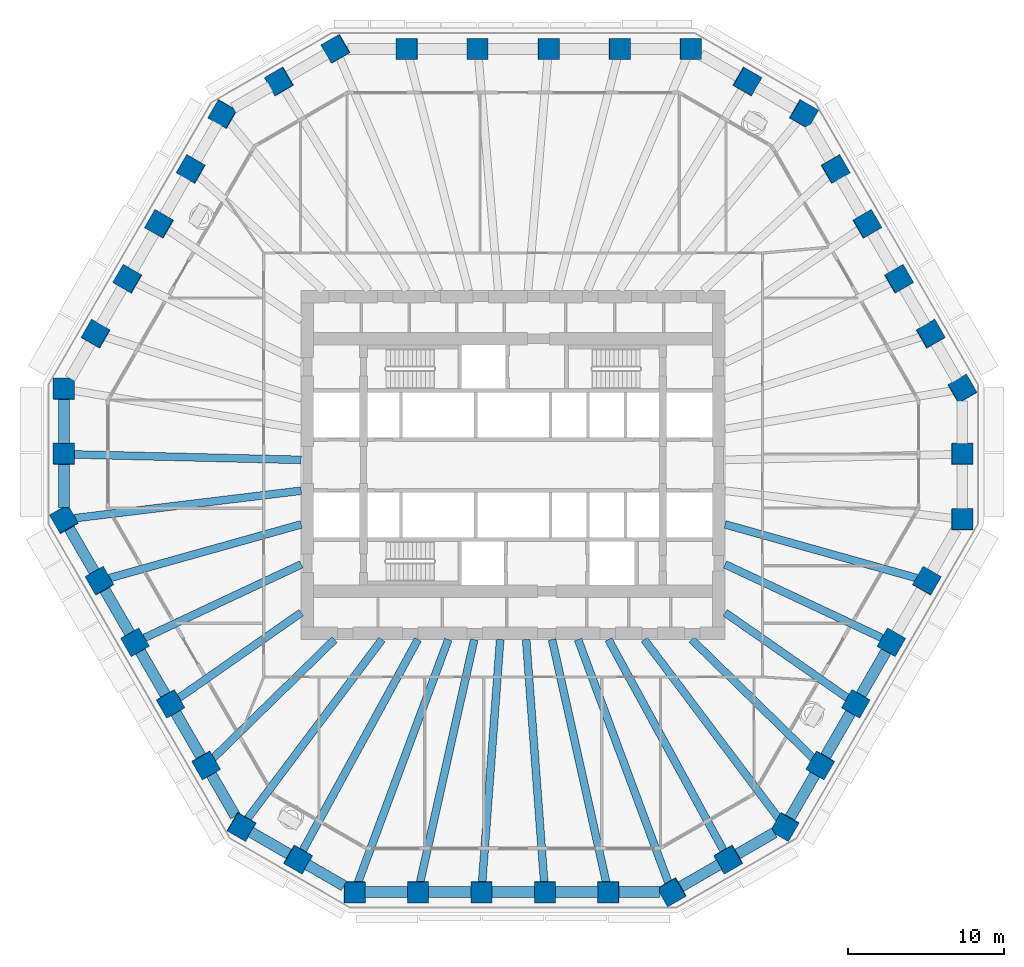
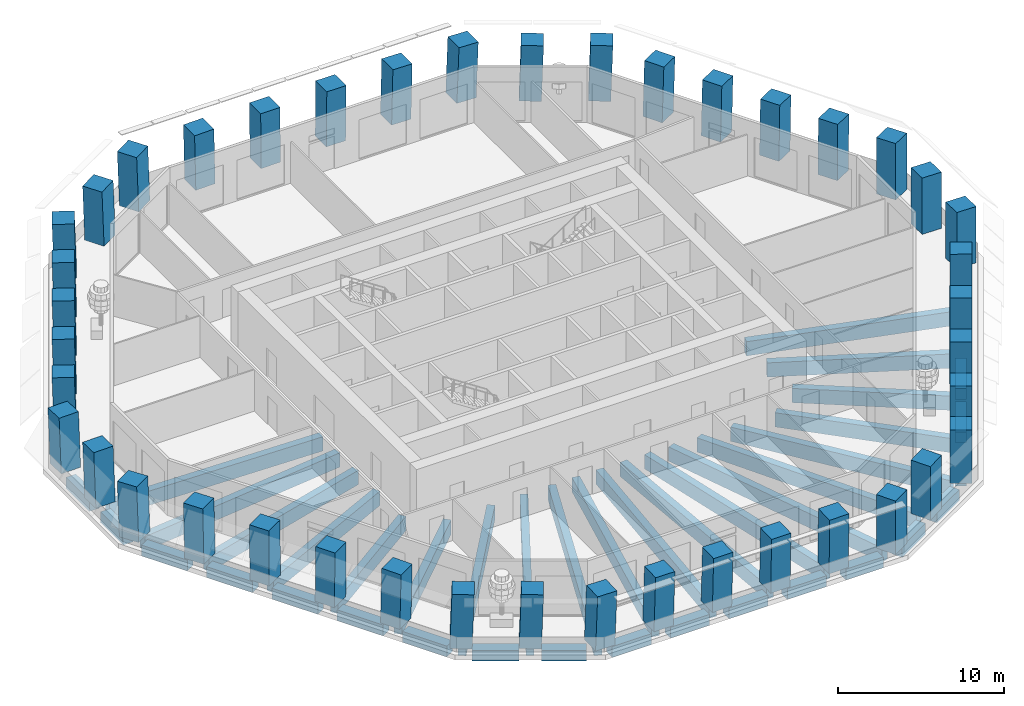
# One storey, part 1 of 13: 42 columns, 39 beams.
"""IFC4 building model written with IfcOpenShell, lengths in metres."""

from ifc_helpers import new_model, si_unit, direction, frame, origin, origin_2d, place, context, subcontext, project, spatial, rectangle, extrude, material, material_profile, profile_set, type_object, element, save


model = new_model("IFC4")

# Units and contexts
model_context = context("Model", 3, precision=1e-05, world=origin(), true_north=direction((0.0, 1.0)))
body_context = subcontext(model_context, "Body", "Model", "MODEL_VIEW")
ifc_project = project(units=[si_unit("LENGTHUNIT", "METRE"), si_unit("AREAUNIT", "SQUARE_METRE"), si_unit("VOLUMEUNIT", "CUBIC_METRE"), si_unit("PLANEANGLEUNIT", "RADIAN"), si_unit("MASSUNIT", "GRAM", prefix="KILO")], contexts=[model_context])

# Site, building, storey
site_placement = place(None, origin())
site = spatial("IfcSite", under=ifc_project, at=site_placement, CompositionType="ELEMENT")
building_placement = place(site_placement, origin())
building = spatial("IfcBuilding", under=site, at=building_placement, Name="Frailejon Research Tower", CompositionType="ELEMENT")
storey_placement = place(building_placement, frame((0.0, 0.0, 102.800048828125)))
storey = spatial("IfcBuildingStorey", under=building, at=storey_placement, Name="L22", CompositionType="ELEMENT", Elevation=102.800048828125)

# Columns
ifc_material_1 = material(Name="Concrete C70/85", Category="concrete")
ifc_material_profile_1 = material_profile(ifc_material_1, rectangle(XDim=1.35009765625, YDim=1.35009765625, at=origin_2d()), Name="Column 1350")
ifc_profile_set_1 = profile_set([ifc_material_profile_1], Name="Concrete C70/85")
column_type = type_object("IfcColumnType", Name="Column 1350", PredefinedType="COLUMN", material=ifc_profile_set_1)
for number, where, z_axis, x_axis, name in (
    (1, (28.81201171875, -3.49609375, 0.0), (0.018132630042, 0.031385715123, 0.999342856388), (-2.2275817e-05, 0.999507197449, -0.031390472292), "Column C01"),
    (2, (28.81201171875, 0.69140625, 0.0), (0.018132630042, 0.031385715123, 0.999342856388), (-2.2275817e-05, 0.999507197449, -0.031390472292), "Column C02"),
    (3, (28.81201171875, 4.87890625, 0.0), (0.018132630042, 0.031385715123, 0.999342856388), (-0.499938597704, 0.865871218169, -0.018122694964), "Column C03"),
):
    element("IfcColumn", number, at=place(storey_placement, frame(where, z_axis=z_axis, x_axis=x_axis)), inside=storey, type_object=column_type, Name=name, PredefinedType="COLUMN", context=body_context, shape_type="SweptSolid", body=[
        extrude(rectangle(XDim=1.35009765625, YDim=1.35009765625, at=origin_2d()), origin(), (0.0, 0.0, 1.0), 4.052734375),
    ])
column_1_placement = place(storey_placement, frame((26.77587890625, 8.405517578125, 0.0), z_axis=(0.021749357258, 0.025183466299, 0.999446225909), x_axis=(-0.501141721156, 0.865296605573, -0.010897692434)))
element("IfcColumn", 4, at=column_1_placement, inside=storey, type_object=column_type, Name="Column C04", PredefinedType="COLUMN", context=body_context, shape_type="SweptSolid", body=[
    extrude(rectangle(XDim=1.35009765625, YDim=1.35009765625, at=origin_2d()), origin(), (0.0, 0.0, 1.0), 4.05224609375),
])
for number, where, z_axis, x_axis, name in (
    (5, (24.73974609375, 11.932373046875, 0.0), (0.025365582388, 0.018858497119, 0.999500347332), (-0.500693070331, 0.865617296359, -0.003625681545), "Column C05"),
    (6, (22.70361328125, 15.458984375, 0.0), (0.028980638596, 0.012592418849, 0.999500652113), (-0.500965869369, 0.865459461575, 0.003621891356), "Column C06"),
):
    element("IfcColumn", number, at=place(storey_placement, frame(where, z_axis=z_axis, x_axis=x_axis)), inside=storey, type_object=column_type, Name=name, PredefinedType="COLUMN", context=body_context, shape_type="SweptSolid", body=[
        extrude(rectangle(XDim=1.35009765625, YDim=1.35009765625, at=origin_2d()), origin(), (0.0, 0.0, 1.0), 4.052001953125),
    ])
column_2_placement = place(storey_placement, frame((20.66748046875, 18.985595703125, 0.0), z_axis=(0.032654174822, 0.006325993277, 0.999446690262), x_axis=(-0.500478631698, 0.865680616164, 0.010872442804)))
element("IfcColumn", 7, at=column_2_placement, inside=storey, type_object=column_type, Name="Column C07", PredefinedType="COLUMN", context=body_context, shape_type="SweptSolid", body=[
    extrude(rectangle(XDim=1.35009765625, YDim=1.35009765625, at=origin_2d()), origin(), (0.0, 0.0, 1.0), 4.05224609375),
])
for number, where, z_axis, x_axis, name in (
    (8, (18.63134765625, 22.512451171875, 0.0), (0.036265236264, 0.0, 0.999342199969), (-0.865313546461, 0.500246354177, 0.031401456084), "Column C08"),
    (9, (15.004638671875, 24.606201171875, 0.0), (0.036265236264, 0.0, 0.999342199969), (-0.865313546461, 0.500246354177, 0.031401456084), "Column C09"),
    (10, (11.378173828125, 26.699951171875, 0.0), (0.036265236264, 0.0, 0.999342199969), (-0.999342199969, 0.0, 0.036265236264), "Column C10"),
):
    element("IfcColumn", number, at=place(storey_placement, frame(where, z_axis=z_axis, x_axis=x_axis)), inside=storey, type_object=column_type, Name=name, PredefinedType="COLUMN", context=body_context, shape_type="SweptSolid", body=[
        extrude(rectangle(XDim=1.35009765625, YDim=1.35009765625, at=origin_2d()), origin(), (0.0, 0.0, 1.0), 4.052734375),
    ])
column_3_placement = place(storey_placement, frame((6.826904296875, 26.699951171875, 0.0), z_axis=(0.021756257337, 0.0, 0.999763304621), x_axis=(-0.999763304621, 0.0, 0.021756257337)))
element("IfcColumn", 11, at=column_3_placement, inside=storey, type_object=column_type, Name="Column C11", PredefinedType="COLUMN", context=body_context, shape_type="SweptSolid", body=[
    extrude(rectangle(XDim=1.35009765625, YDim=1.35009765625, at=origin_2d()), origin(), (0.0, 0.0, 1.0), 4.051025390625),
])
for number, where, z_axis, x_axis, name in (
    (12, (2.275634765625, 26.699951171875, 0.0), (0.007293795973, 0.0, 0.999973399916), (-0.999973399916, 0.0, 0.007293795973), "Column C12"),
    (13, (-2.275634765625, 26.699951171875, 0.0), (-0.007293795973, 0.0, 0.999973399916), (-0.999973399916, 0.0, -0.007293795973), "Column C13"),
):
    element("IfcColumn", number, at=place(storey_placement, frame(where, z_axis=z_axis, x_axis=x_axis)), inside=storey, type_object=column_type, Name=name, PredefinedType="COLUMN", context=body_context, shape_type="SweptSolid", body=[
        extrude(rectangle(XDim=1.35009765625, YDim=1.35009765625, at=origin_2d()), origin(), (0.0, 0.0, 1.0), 4.050048828125),
    ])
column_4_placement = place(storey_placement, frame((-6.826904296875, 26.699951171875, 0.0), z_axis=(-0.021756257337, 0.0, 0.999763304621), x_axis=(-0.999763304621, 0.0, -0.021756257337)))
element("IfcColumn", 14, at=column_4_placement, inside=storey, type_object=column_type, Name="Column C14", PredefinedType="COLUMN", context=body_context, shape_type="SweptSolid", body=[
    extrude(rectangle(XDim=1.35009765625, YDim=1.35009765625, at=origin_2d()), origin(), (0.0, 0.0, 1.0), 4.051025390625),
])
for number, where, z_axis, x_axis, name in (
    (15, (-11.378173828125, 26.699951171875, 0.0), (-0.036265236264, 0.0, 0.999342199969), (-0.865313546461, -0.500246354177, -0.031401456084), "Column C15"),
    (16, (-15.004638671875, 24.606201171875, 0.0), (-0.036265236264, 0.0, 0.999342199969), (-0.865313546461, -0.500246354177, -0.031401456084), "Column C16"),
    (17, (-18.63134765625, 22.512451171875, 0.0), (-0.036265236264, 0.0, 0.999342199969), (-0.499424867419, -0.866167613071, -0.018123682572), "Column C17"),
):
    element("IfcColumn", number, at=place(storey_placement, frame(where, z_axis=z_axis, x_axis=x_axis)), inside=storey, type_object=column_type, Name=name, PredefinedType="COLUMN", context=body_context, shape_type="SweptSolid", body=[
        extrude(rectangle(XDim=1.35009765625, YDim=1.35009765625, at=origin_2d()), origin(), (0.0, 0.0, 1.0), 4.052734375),
    ])
column_5_placement = place(storey_placement, frame((-20.66748046875, 18.985595703125, 0.0), z_axis=(-0.032654174822, 0.006325993277, 0.999446690262), x_axis=(-0.500478631698, -0.865680616164, -0.010872442804)))
element("IfcColumn", 18, at=column_5_placement, inside=storey, type_object=column_type, Name="Column C18", PredefinedType="COLUMN", context=body_context, shape_type="SweptSolid", body=[
    extrude(rectangle(XDim=1.35009765625, YDim=1.35009765625, at=origin_2d()), origin(), (0.0, 0.0, 1.0), 4.05224609375),
])
for number, where, z_axis, x_axis, name in (
    (19, (-22.70361328125, 15.458984375, 0.0), (-0.028980638596, 0.012592418849, 0.999500652113), (-0.500965869369, -0.865459461575, -0.003621891356), "Column C19"),
    (20, (-24.73974609375, 11.932373046875, 0.0), (-0.025365582388, 0.018858497119, 0.999500347332), (-0.500693070331, -0.865617296359, 0.003625681545), "Column C20"),
):
    element("IfcColumn", number, at=place(storey_placement, frame(where, z_axis=z_axis, x_axis=x_axis)), inside=storey, type_object=column_type, Name=name, PredefinedType="COLUMN", context=body_context, shape_type="SweptSolid", body=[
        extrude(rectangle(XDim=1.35009765625, YDim=1.35009765625, at=origin_2d()), origin(), (0.0, 0.0, 1.0), 4.052001953125),
    ])
column_6_placement = place(storey_placement, frame((-26.77587890625, 8.405517578125, 0.0), z_axis=(-0.021749357258, 0.025183466299, 0.999446225909), x_axis=(-0.501141721156, -0.865296605573, 0.010897692434)))
element("IfcColumn", 21, at=column_6_placement, inside=storey, type_object=column_type, Name="Column C21", PredefinedType="COLUMN", context=body_context, shape_type="SweptSolid", body=[
    extrude(rectangle(XDim=1.35009765625, YDim=1.35009765625, at=origin_2d()), origin(), (0.0, 0.0, 1.0), 4.05224609375),
])
for number, where, z_axis, x_axis, name in (
    (22, (-28.81201171875, 4.87890625, 0.0), (-0.018132630042, 0.031385715123, 0.999342856388), (-2.2275817e-05, -0.999507197449, 0.031390472292), "Column C22"),
    (23, (-28.81201171875, 0.69140625, 0.0), (-0.018132630042, 0.031385715123, 0.999342856388), (-2.2275817e-05, -0.999507197449, 0.031390472292), "Column C23"),
    (24, (-28.81201171875, -3.49609375, 0.0), (-0.018132630042, 0.031385715123, 0.999342856388), (0.50014482047, -0.865182814935, 0.036247141934), "Column C24"),
):
    element("IfcColumn", number, at=place(storey_placement, frame(where, z_axis=z_axis, x_axis=x_axis)), inside=storey, type_object=column_type, Name=name, PredefinedType="COLUMN", context=body_context, shape_type="SweptSolid", body=[
        extrude(rectangle(XDim=1.35009765625, YDim=1.35009765625, at=origin_2d()), origin(), (0.0, 0.0, 1.0), 4.052734375),
    ])
column_7_placement = place(storey_placement, frame((-26.536376953125, -7.437744140625, 0.0), z_axis=(-0.010847994403, 0.018863456933, 0.999763217472), x_axis=(0.498562459177, -0.866580616749, 0.02176026136)))
element("IfcColumn", 25, at=column_7_placement, inside=storey, type_object=column_type, Name="Column C25", PredefinedType="COLUMN", context=body_context, shape_type="SweptSolid", body=[
    extrude(rectangle(XDim=1.35009765625, YDim=1.35009765625, at=origin_2d()), origin(), (0.0, 0.0, 1.0), 4.051025390625),
])
for number, where, z_axis, x_axis, name in (
    (26, (-24.2607421875, -11.379150390625, 0.0), (-0.003616759812, 0.006269050341, 0.999973808685), (0.498177152713, -0.867045063843, 0.007237525818), "Column C26"),
    (27, (-21.985107421875, -15.32080078125, 0.0), (0.003616759812, -0.006269050341, 0.999973808685), (0.498177152713, -0.867045063843, -0.007237525818), "Column C27"),
):
    element("IfcColumn", number, at=place(storey_placement, frame(where, z_axis=z_axis, x_axis=x_axis)), inside=storey, type_object=column_type, Name=name, PredefinedType="COLUMN", context=body_context, shape_type="SweptSolid", body=[
        extrude(rectangle(XDim=1.35009765625, YDim=1.35009765625, at=origin_2d()), origin(), (0.0, 0.0, 1.0), 4.050048828125),
    ])
column_8_placement = place(storey_placement, frame((-19.70947265625, -19.26220703125, 0.0), z_axis=(0.010908253887, -0.018863444567, 0.99976256204), x_axis=(0.500638377412, -0.865382225109, -0.021790354016)))
element("IfcColumn", 28, at=column_8_placement, inside=storey, type_object=column_type, Name="Column C28", PredefinedType="COLUMN", context=body_context, shape_type="SweptSolid", body=[
    extrude(rectangle(XDim=1.35009765625, YDim=1.35009765625, at=origin_2d()), origin(), (0.0, 0.0, 1.0), 4.051025390625),
])
for number, where, z_axis, x_axis, name in (
    (29, (-17.433837890625, -23.203857421875, 0.0), (0.018132630042, -0.031385715123, 0.999342856388), (0.865884970752, -0.499257274245, -0.031390946777), "Column C29"),
    (30, (-13.80712890625, -25.297607421875, 0.0), (0.018132630042, -0.031385715123, 0.999342856388), (0.866156195426, -0.498787200508, -0.031381104725), "Column C30"),
    (31, (-10.1806640625, -27.391357421875, 0.0), (0.018132595726, -0.031445896907, 0.999340965106), (0.999835550636, 0.000286381875, -0.018132558286), "Column C31"),
):
    element("IfcColumn", number, at=place(storey_placement, frame(where, z_axis=z_axis, x_axis=x_axis)), inside=storey, type_object=column_type, Name=name, PredefinedType="COLUMN", context=body_context, shape_type="SweptSolid", body=[
        extrude(rectangle(XDim=1.35009765625, YDim=1.35009765625, at=origin_2d()), origin(), (0.0, 0.0, 1.0), 4.052734375),
    ])
column_9_placement = place(storey_placement, frame((-6.1083984375, -27.391357421875, 0.0), z_axis=(0.010904798434, -0.031449197695, 0.999445863134), x_axis=(0.999940479279, 0.000693913361, -0.010888359996)))
element("IfcColumn", 32, at=column_9_placement, inside=storey, type_object=column_type, Name="Column C32", PredefinedType="COLUMN", context=body_context, shape_type="SweptSolid", body=[
    extrude(rectangle(XDim=1.35009765625, YDim=1.35009765625, at=origin_2d()), origin(), (0.0, 0.0, 1.0), 4.05224609375),
])
for number, where, z_axis, x_axis, name in (
    (33, (-2.0361328125, -27.391357421875, 0.0), (0.003615041636, -0.031450862236, 0.999498761749), (0.999993465412, 8.9073869e-05, -0.003614028053), "Column C33"),
    (34, (2.0361328125, -27.391357421875, 0.0), (-0.003615041636, -0.031450862236, 0.999498761749), (0.999993465412, -8.9073869e-05, 0.003614028053), "Column C34"),
):
    element("IfcColumn", number, at=place(storey_placement, frame(where, z_axis=z_axis, x_axis=x_axis)), inside=storey, type_object=column_type, Name=name, PredefinedType="COLUMN", context=body_context, shape_type="SweptSolid", body=[
        extrude(rectangle(XDim=1.35009765625, YDim=1.35009765625, at=origin_2d()), origin(), (0.0, 0.0, 1.0), 4.052001953125),
    ])
column_10_placement = place(storey_placement, frame((6.1083984375, -27.391357421875, 0.0), z_axis=(-0.010904798434, -0.031449197695, 0.999445863134), x_axis=(0.999940479279, -0.000693913361, 0.010888359996)))
element("IfcColumn", 35, at=column_10_placement, inside=storey, type_object=column_type, Name="Column C35", PredefinedType="COLUMN", context=body_context, shape_type="SweptSolid", body=[
    extrude(rectangle(XDim=1.35009765625, YDim=1.35009765625, at=origin_2d()), origin(), (0.0, 0.0, 1.0), 4.05224609375),
])
for number, where, z_axis, x_axis, name in (
    (36, (10.1806640625, -27.391357421875, 0.0), (-0.018132595726, -0.031445896907, 0.999340965106), (0.865740985748, 0.499504693256, 0.031426215359), "Column C36"),
    (37, (13.80712890625, -25.297607421875, 0.0), (-0.018132630042, -0.031385715123, 0.999342856388), (0.866156195426, 0.498787200508, 0.031381104725), "Column C37"),
    (38, (17.433837890625, -23.203857421875, 0.0), (-0.018132630042, -0.031385715123, 0.999342856388), (0.499674818932, 0.865454343132, 0.036247141676), "Column C38"),
):
    element("IfcColumn", number, at=place(storey_placement, frame(where, z_axis=z_axis, x_axis=x_axis)), inside=storey, type_object=column_type, Name=name, PredefinedType="COLUMN", context=body_context, shape_type="SweptSolid", body=[
        extrude(rectangle(XDim=1.35009765625, YDim=1.35009765625, at=origin_2d()), origin(), (0.0, 0.0, 1.0), 4.052734375),
    ])
column_11_placement = place(storey_placement, frame((19.70947265625, -19.26220703125, 0.0), z_axis=(-0.010908253887, -0.018863444567, 0.99976256204), x_axis=(0.500638377412, 0.865382225109, 0.021790354016)))
element("IfcColumn", 39, at=column_11_placement, inside=storey, type_object=column_type, Name="Column C39", PredefinedType="COLUMN", context=body_context, shape_type="SweptSolid", body=[
    extrude(rectangle(XDim=1.35009765625, YDim=1.35009765625, at=origin_2d()), origin(), (0.0, 0.0, 1.0), 4.051025390625),
])
for number, where, z_axis, x_axis, name in (
    (40, (21.985107421875, -15.32080078125, 0.0), (-0.003616759812, -0.006269050341, 0.999973808685), (0.498177152713, 0.867045063843, 0.007237525818), "Column C40"),
    (41, (24.2607421875, -11.379150390625, 0.0), (0.003616759812, 0.006269050341, 0.999973808685), (0.498177152713, 0.867045063843, -0.007237525818), "Column C41"),
):
    element("IfcColumn", number, at=place(storey_placement, frame(where, z_axis=z_axis, x_axis=x_axis)), inside=storey, type_object=column_type, Name=name, PredefinedType="COLUMN", context=body_context, shape_type="SweptSolid", body=[
        extrude(rectangle(XDim=1.35009765625, YDim=1.35009765625, at=origin_2d()), origin(), (0.0, 0.0, 1.0), 4.050048828125),
    ])
column_12_placement = place(storey_placement, frame((26.536376953125, -7.437744140625, 0.0), z_axis=(0.010847994403, 0.018863456933, 0.999763217472), x_axis=(0.498562459177, 0.866580616749, -0.02176026136)))
element("IfcColumn", 42, at=column_12_placement, inside=storey, type_object=column_type, Name="Column C42", PredefinedType="COLUMN", context=body_context, shape_type="SweptSolid", body=[
    extrude(rectangle(XDim=1.35009765625, YDim=1.35009765625, at=origin_2d()), origin(), (0.0, 0.0, 1.0), 4.051025390625),
])

# Beams
ifc_material_2 = material(Name="Concrete C60/75", Category="concrete")
ifc_material_profile_2 = material_profile(ifc_material_2, rectangle(XDim=0.5, YDim=1.050048828125, at=origin_2d()), Name="Girder 500x1050")
ifc_profile_set_2 = profile_set([ifc_material_profile_2], Name="Concrete C60/75")
beam_type_1 = type_object("IfcBeamType", Name="Girder 500x1050", PredefinedType="BEAM", material=ifc_profile_set_2)
beam_1_placement = place(storey_placement, frame((-28.287109375, 0.6787109375, -0.824951171875), z_axis=(0.999712439965, -0.023979937014, 0.0), x_axis=(0.023979937014, 0.999712439965, 0.0)))
element("IfcBeam", 43, at=beam_1_placement, inside=storey, type_object=beam_type_1, Name="Girder 500x1050", PredefinedType="BEAM", context=body_context, shape_type="SweptSolid", body=[
    extrude(rectangle(XDim=0.5, YDim=1.050048828125, at=origin_2d()), origin(), (0.0, 0.0, 1.0), 14.691162109375),
])
beam_2_placement = place(storey_placement, frame((-28.232421875, -3.42578125, -0.824951171875), z_axis=(0.992719384889, 0.120450084542, 0.0), x_axis=(-0.120450084542, 0.992719384889, 0.0)))
element("IfcBeam", 44, at=beam_2_placement, inside=storey, type_object=beam_type_1, Name="Girder 500x1050", PredefinedType="BEAM", context=body_context, shape_type="SweptSolid", body=[
    extrude(rectangle(XDim=0.5, YDim=1.050048828125, at=origin_2d()), origin(), (0.0, 0.0, 1.0), 14.73974609375),
])
beam_3_placement = place(storey_placement, frame((-26.010009765625, -7.290283203125, -0.824951171875), z_axis=(0.962893554735, 0.269881459627, 0.0), x_axis=(-0.269881459627, 0.962893554735, 0.0)))
element("IfcBeam", 45, at=beam_3_placement, inside=storey, type_object=beam_type_1, Name="Girder 500x1050", PredefinedType="BEAM", context=body_context, shape_type="SweptSolid", body=[
    extrude(rectangle(XDim=0.5, YDim=1.050048828125, at=origin_2d()), origin(), (0.0, 0.0, 1.0), 12.88818359375),
])
beam_4_placement = place(storey_placement, frame((-23.783203125, -11.1552734375, -0.824951171875), z_axis=(0.905355158291, 0.424655198197, 0.0), x_axis=(-0.424655198197, 0.905355158291, 0.0)))
element("IfcBeam", 46, at=beam_4_placement, inside=storey, type_object=beam_type_1, Name="Girder 500x1050", PredefinedType="BEAM", context=body_context, shape_type="SweptSolid", body=[
    extrude(rectangle(XDim=0.5, YDim=1.050048828125, at=origin_2d()), origin(), (0.0, 0.0, 1.0), 11.24755859375),
])
beam_5_placement = place(storey_placement, frame((-21.552490234375, -15.019287109375, -0.824951171875), z_axis=(0.820438265779, 0.571735124027, 0.0), x_axis=(-0.571735124027, 0.820438265779, 0.0)))
element("IfcBeam", 47, at=beam_5_placement, inside=storey, type_object=beam_type_1, Name="Girder 500x1050", PredefinedType="BEAM", context=body_context, shape_type="SweptSolid", body=[
    extrude(rectangle(XDim=0.5, YDim=1.050048828125, at=origin_2d()), origin(), (0.0, 0.0, 1.0), 9.69287109375),
])
beam_6_placement = place(storey_placement, frame((-19.318359375, -18.880126953125, -0.824951171875), z_axis=(0.715170037857, 0.698950511089, 0.0), x_axis=(-0.698950511089, 0.715170037857, 0.0)))
element("IfcBeam", 48, at=beam_6_placement, inside=storey, type_object=beam_type_1, Name="Girder 500x1050", PredefinedType="BEAM", context=body_context, shape_type="SweptSolid", body=[
    extrude(rectangle(XDim=0.5, YDim=1.050048828125, at=origin_2d()), origin(), (0.0, 0.0, 1.0), 10.988037109375),
])
beam_7_placement = place(storey_placement, frame((-17.115478515625, -22.780029296875, -0.824951171875), z_axis=(0.600690170798, 0.799481906428, 0.0), x_axis=(-0.799481906428, 0.600690170798, 0.0)))
element("IfcBeam", 49, at=beam_7_placement, inside=storey, type_object=beam_type_1, Name="Girder 500x1050", PredefinedType="BEAM", context=body_context, shape_type="SweptSolid", body=[
    extrude(rectangle(XDim=0.5, YDim=1.050048828125, at=origin_2d()), origin(), (0.0, 0.0, 1.0), 14.484375),
])
beam_8_placement = place(storey_placement, frame((-13.5556640625, -24.836669921875, -0.824951171875), z_axis=(0.479083332766, 0.877769423178, 0.0), x_axis=(-0.877769423178, 0.479083332766, 0.0)))
element("IfcBeam", 50, at=beam_8_placement, inside=storey, type_object=beam_type_1, Name="Girder 500x1050", PredefinedType="BEAM", context=body_context, shape_type="SweptSolid", body=[
    extrude(rectangle(XDim=0.5, YDim=1.050048828125, at=origin_2d()), origin(), (0.0, 0.0, 1.0), 15.53564453125),
])
beam_9_placement = place(storey_placement, frame((-9.982177734375, -26.85693359375, -0.824951171875), z_axis=(0.348390927461, 0.937349327446, 0.0), x_axis=(-0.937349327446, 0.348390927461, 0.0)))
element("IfcBeam", 51, at=beam_9_placement, inside=storey, type_object=beam_type_1, Name="Girder 500x1050", PredefinedType="BEAM", context=body_context, shape_type="SweptSolid", body=[
    extrude(rectangle(XDim=0.5, YDim=1.050048828125, at=origin_2d()), origin(), (0.0, 0.0, 1.0), 16.703369140625),
])
beam_10_placement = place(storey_placement, frame((-5.990478515625, -26.86279296875, -0.824951171875), z_axis=(0.21766011016, 0.976024629016, 0.0), x_axis=(-0.976024629016, 0.21766011016, 0.0)))
element("IfcBeam", 52, at=beam_10_placement, inside=storey, type_object=beam_type_1, Name="Girder 500x1050", PredefinedType="BEAM", context=body_context, shape_type="SweptSolid", body=[
    extrude(rectangle(XDim=0.5, YDim=1.050048828125, at=origin_2d()), origin(), (0.0, 0.0, 1.0), 16.047607421875),
])
for number, where, z_axis, x_axis, name in (
    (53, (-1.9970703125, -26.865966796875, -0.824951171875), (0.074131579558, 0.997248468995, 0.0), (-0.997248468995, 0.074131579558, 0.0), "Girder 500x1050"),
    (54, (1.9970703125, -26.865966796875, -0.824951171875), (-0.074131579558, 0.997248468995, 0.0), (-0.997248468995, -0.074131579558, 0.0), "Girder 500x1050"),
):
    element("IfcBeam", number, at=place(storey_placement, frame(where, z_axis=z_axis, x_axis=x_axis)), inside=storey, type_object=beam_type_1, Name=name, PredefinedType="BEAM", context=body_context, shape_type="SweptSolid", body=[
        extrude(rectangle(XDim=0.5, YDim=1.050048828125, at=origin_2d()), origin(), (0.0, 0.0, 1.0), 15.709228515625),
    ])
beam_11_placement = place(storey_placement, frame((5.990478515625, -26.86279296875, -0.824951171875), z_axis=(-0.21766011016, 0.976024629016, 0.0), x_axis=(-0.976024629016, -0.21766011016, 0.0)))
element("IfcBeam", 55, at=beam_11_placement, inside=storey, type_object=beam_type_1, Name="Girder 500x1050", PredefinedType="BEAM", context=body_context, shape_type="SweptSolid", body=[
    extrude(rectangle(XDim=0.5, YDim=1.050048828125, at=origin_2d()), origin(), (0.0, 0.0, 1.0), 16.047607421875),
])
beam_12_placement = place(storey_placement, frame((9.994384765625, -26.890380859375, -0.824951171875), z_axis=(-0.348379141523, 0.93735370792, 0.0), x_axis=(-0.93735370792, -0.348379141523, 0.0)))
element("IfcBeam", 56, at=beam_12_placement, inside=storey, type_object=beam_type_1, Name="Girder 500x1050", PredefinedType="BEAM", context=body_context, shape_type="SweptSolid", body=[
    extrude(rectangle(XDim=0.5, YDim=1.050048828125, at=origin_2d()), origin(), (0.0, 0.0, 1.0), 16.739013671875),
])
beam_13_placement = place(storey_placement, frame((13.5556640625, -24.836669921875, -0.824951171875), z_axis=(-0.479083332766, 0.877769423178, 0.0), x_axis=(-0.877769423178, -0.479083332766, 0.0)))
element("IfcBeam", 57, at=beam_13_placement, inside=storey, type_object=beam_type_1, Name="Girder 500x1050", PredefinedType="BEAM", context=body_context, shape_type="SweptSolid", body=[
    extrude(rectangle(XDim=0.5, YDim=1.050048828125, at=origin_2d()), origin(), (0.0, 0.0, 1.0), 15.53564453125),
])
beam_14_placement = place(storey_placement, frame((17.083251953125, -22.737060546875, -0.824951171875), z_axis=(-0.60069273876, 0.799479976986, 0.0), x_axis=(-0.799479976986, -0.60069273876, 0.0)))
element("IfcBeam", 58, at=beam_14_placement, inside=storey, type_object=beam_type_1, Name="Girder 500x1050", PredefinedType="BEAM", context=body_context, shape_type="SweptSolid", body=[
    extrude(rectangle(XDim=0.5, YDim=1.050048828125, at=origin_2d()), origin(), (0.0, 0.0, 1.0), 14.4306640625),
])
beam_15_placement = place(storey_placement, frame((19.318359375, -18.880126953125, -0.824951171875), z_axis=(-0.715170037857, 0.698950511089, 0.0), x_axis=(-0.698950511089, -0.715170037857, 0.0)))
element("IfcBeam", 59, at=beam_15_placement, inside=storey, type_object=beam_type_1, Name="Girder 500x1050", PredefinedType="BEAM", context=body_context, shape_type="SweptSolid", body=[
    extrude(rectangle(XDim=0.5, YDim=1.050048828125, at=origin_2d()), origin(), (0.0, 0.0, 1.0), 10.988037109375),
])
beam_16_placement = place(storey_placement, frame((21.552490234375, -15.019287109375, -0.824951171875), z_axis=(-0.820438265779, 0.571735124027, 0.0), x_axis=(-0.571735124027, -0.820438265779, 0.0)))
element("IfcBeam", 60, at=beam_16_placement, inside=storey, type_object=beam_type_1, Name="Girder 500x1050", PredefinedType="BEAM", context=body_context, shape_type="SweptSolid", body=[
    extrude(rectangle(XDim=0.5, YDim=1.050048828125, at=origin_2d()), origin(), (0.0, 0.0, 1.0), 9.69287109375),
])
beam_17_placement = place(storey_placement, frame((23.783203125, -11.1552734375, -0.824951171875), z_axis=(-0.905355158291, 0.424655198197, 0.0), x_axis=(-0.424655198197, -0.905355158291, 0.0)))
element("IfcBeam", 61, at=beam_17_placement, inside=storey, type_object=beam_type_1, Name="Girder 500x1050", PredefinedType="BEAM", context=body_context, shape_type="SweptSolid", body=[
    extrude(rectangle(XDim=0.5, YDim=1.050048828125, at=origin_2d()), origin(), (0.0, 0.0, 1.0), 11.24755859375),
])
beam_18_placement = place(storey_placement, frame((26.010009765625, -7.290283203125, -0.824951171875), z_axis=(-0.962893554735, 0.269881459627, 0.0), x_axis=(-0.269881459627, -0.962893554735, 0.0)))
element("IfcBeam", 62, at=beam_18_placement, inside=storey, type_object=beam_type_1, Name="Girder 500x1050", PredefinedType="BEAM", context=body_context, shape_type="SweptSolid", body=[
    extrude(rectangle(XDim=0.5, YDim=1.050048828125, at=origin_2d()), origin(), (0.0, 0.0, 1.0), 12.88818359375),
])
ifc_material_3 = material(Name="Concrete C60/75", Category="concrete")
ifc_material_profile_3 = material_profile(ifc_material_3, rectangle(XDim=0.699951171875, YDim=0.800048828125, at=origin_2d()), Name="Spandrel 700x800")
ifc_profile_set_3 = profile_set([ifc_material_profile_3], Name="Concrete C60/75")
beam_type_2 = type_object("IfcBeamType", Name="Spandrel 700x800", PredefinedType="BEAM", material=ifc_profile_set_3)
beam_19_placement = place(storey_placement, frame((-28.81201171875, 4.203857421875, -0.75), z_axis=(0.0, -1.0, 0.0), x_axis=(1.0, 0.0, 0.0)))
element("IfcBeam", 63, at=beam_19_placement, inside=storey, type_object=beam_type_2, Name="Spandrel 700x800", PredefinedType="BEAM", context=body_context, shape_type="SweptSolid", body=[
    extrude(rectangle(XDim=0.699951171875, YDim=0.800048828125, at=origin_2d()), origin(), (0.0, 0.0, 1.0), 2.83740234375),
])
beam_20_placement = place(storey_placement, frame((-28.81201171875, 0.016357421875, -0.75), z_axis=(0.0, -1.0, 0.0), x_axis=(1.0, 0.0, 0.0)))
element("IfcBeam", 64, at=beam_20_placement, inside=storey, type_object=beam_type_2, Name="Spandrel 700x800", PredefinedType="BEAM", context=body_context, shape_type="SweptSolid", body=[
    extrude(rectangle(XDim=0.699951171875, YDim=0.800048828125, at=origin_2d()), origin(), (0.0, 0.0, 1.0), 2.733154296875),
])
beam_21_placement = place(storey_placement, frame((-28.474609375, -4.080810546875, -0.75), z_axis=(0.50006793281, -0.865986179206, 0.0), x_axis=(0.865986179206, 0.50006793281, 0.0)))
element("IfcBeam", 65, at=beam_21_placement, inside=storey, type_object=beam_type_2, Name="Spandrel 700x800", PredefinedType="BEAM", context=body_context, shape_type="SweptSolid", body=[
    extrude(rectangle(XDim=0.699951171875, YDim=0.800048828125, at=origin_2d()), origin(), (0.0, 0.0, 1.0), 3.201171875),
])
beam_22_placement = place(storey_placement, frame((-26.19873046875, -8.022216796875, -0.75), z_axis=(0.499977712642, -0.866038271014, 0.0), x_axis=(0.866038271014, 0.499977712642, 0.0)))
element("IfcBeam", 66, at=beam_22_placement, inside=storey, type_object=beam_type_2, Name="Spandrel 700x800", PredefinedType="BEAM", context=body_context, shape_type="SweptSolid", body=[
    extrude(rectangle(XDim=0.699951171875, YDim=0.800048828125, at=origin_2d()), origin(), (0.0, 0.0, 1.0), 3.201416015625),
])
for number, where, z_axis, x_axis, name in (
    (67, (-23.923095703125, -11.9638671875, -0.75), (0.50001073616, -0.866019205171, 0.0), (0.866019205171, 0.50001073616, 0.0), "Spandrel 700x800"),
    (68, (-21.647705078125, -15.905517578125, -0.75), (0.50006793281, -0.865986179206, 0.0), (0.865986179206, 0.50006793281, 0.0), "Spandrel 700x800"),
):
    element("IfcBeam", number, at=place(storey_placement, frame(where, z_axis=z_axis, x_axis=x_axis)), inside=storey, type_object=beam_type_2, Name=name, PredefinedType="BEAM", context=body_context, shape_type="SweptSolid", body=[
        extrude(rectangle(XDim=0.699951171875, YDim=0.800048828125, at=origin_2d()), origin(), (0.0, 0.0, 1.0), 3.201171875),
    ])
beam_23_placement = place(storey_placement, frame((-19.371826171875, -19.846923828125, -0.75), z_axis=(0.499988605523, -0.866031982289, 0.0), x_axis=(0.866031982289, 0.499988605523, 0.0)))
element("IfcBeam", 69, at=beam_23_placement, inside=storey, type_object=beam_type_2, Name="Spandrel 700x800", PredefinedType="BEAM", context=body_context, shape_type="SweptSolid", body=[
    extrude(rectangle(XDim=0.699951171875, YDim=0.800048828125, at=origin_2d()), origin(), (0.0, 0.0, 1.0), 3.0966796875),
])
beam_24_placement = place(storey_placement, frame((-16.84912109375, -23.541259765625, -0.75), z_axis=(0.865989280058, -0.500062562911, 0.0), x_axis=(0.500062562911, 0.865989280058, 0.0)))
element("IfcBeam", 70, at=beam_24_placement, inside=storey, type_object=beam_type_2, Name="Spandrel 700x800", PredefinedType="BEAM", context=body_context, shape_type="SweptSolid", body=[
    extrude(rectangle(XDim=0.699951171875, YDim=0.800048828125, at=origin_2d()), origin(), (0.0, 0.0, 1.0), 2.837646484375),
])
beam_25_placement = place(storey_placement, frame((-13.22265625, -25.635009765625, -0.75), z_axis=(0.866002615699, -0.500039468044, 0.0), x_axis=(0.500039468044, 0.866002615699, 0.0)))
element("IfcBeam", 71, at=beam_25_placement, inside=storey, type_object=beam_type_2, Name="Spandrel 700x800", PredefinedType="BEAM", context=body_context, shape_type="SweptSolid", body=[
    extrude(rectangle(XDim=0.699951171875, YDim=0.800048828125, at=origin_2d()), origin(), (0.0, 0.0, 1.0), 2.733154296875),
])
for number, where, z_axis, x_axis, name in (
    (72, (-9.505615234375, -27.391357421875, -0.75), (1.0, 0.0, 0.0), (0.0, 1.0, 0.0), "Spandrel 700x800"),
    (73, (-5.433349609375, -27.391357421875, -0.75), (1.0, 0.0, 0.0), (0.0, 1.0, 0.0), "Spandrel 700x800"),
    (74, (-1.361083984375, -27.391357421875, -0.75), (1.0, 0.0, 0.0), (0.0, 1.0, 0.0), "Spandrel 700x800"),
    (75, (2.711181640625, -27.391357421875, -0.75), (1.0, 0.0, 0.0), (0.0, 1.0, 0.0), "Spandrel 700x800"),
):
    element("IfcBeam", number, at=place(storey_placement, frame(where, z_axis=z_axis, x_axis=x_axis)), inside=storey, type_object=beam_type_2, Name=name, PredefinedType="BEAM", context=body_context, shape_type="SweptSolid", body=[
        extrude(rectangle(XDim=0.699951171875, YDim=0.800048828125, at=origin_2d()), origin(), (0.0, 0.0, 1.0), 2.72216796875),
    ])
beam_26_placement = place(storey_placement, frame((6.783447265625, -27.391357421875, -0.75), z_axis=(1.0, 0.0, 0.0), x_axis=(0.0, 1.0, 0.0)))
element("IfcBeam", 76, at=beam_26_placement, inside=storey, type_object=beam_type_2, Name="Spandrel 700x800", PredefinedType="BEAM", context=body_context, shape_type="SweptSolid", body=[
    extrude(rectangle(XDim=0.699951171875, YDim=0.800048828125, at=origin_2d()), origin(), (0.0, 0.0, 1.0), 2.617919921875),
])
beam_27_placement = place(storey_placement, frame((10.765380859375, -27.053955078125, -0.75), z_axis=(0.865989280058, 0.500062562911, 0.0), x_axis=(-0.500062562911, 0.865989280058, 0.0)))
element("IfcBeam", 77, at=beam_27_placement, inside=storey, type_object=beam_type_2, Name="Spandrel 700x800", PredefinedType="BEAM", context=body_context, shape_type="SweptSolid", body=[
    extrude(rectangle(XDim=0.699951171875, YDim=0.800048828125, at=origin_2d()), origin(), (0.0, 0.0, 1.0), 2.837646484375),
])
beam_28_placement = place(storey_placement, frame((14.391845703125, -24.960205078125, -0.75), z_axis=(0.866002615699, 0.500039468044, 0.0), x_axis=(-0.500039468044, 0.866002615699, 0.0)))
element("IfcBeam", 78, at=beam_28_placement, inside=storey, type_object=beam_type_2, Name="Spandrel 700x800", PredefinedType="BEAM", context=body_context, shape_type="SweptSolid", body=[
    extrude(rectangle(XDim=0.699951171875, YDim=0.800048828125, at=origin_2d()), origin(), (0.0, 0.0, 1.0), 2.733154296875),
])
for number, where, z_axis, x_axis, name in (
    (79, (17.771240234375, -22.619140625, -0.75), (0.50001073616, 0.866019205171, 0.0), (-0.866019205171, 0.50001073616, 0.0), "Spandrel 700x800"),
    (80, (20.046875, -18.677734375, -0.75), (0.50006793281, 0.865986179206, 0.0), (-0.865986179206, 0.50006793281, 0.0), "Spandrel 700x800"),
    (81, (22.322509765625, -14.736083984375, -0.75), (0.50001073616, 0.866019205171, 0.0), (-0.866019205171, 0.50001073616, 0.0), "Spandrel 700x800"),
):
    element("IfcBeam", number, at=place(storey_placement, frame(where, z_axis=z_axis, x_axis=x_axis)), inside=storey, type_object=beam_type_2, Name=name, PredefinedType="BEAM", context=body_context, shape_type="SweptSolid", body=[
        extrude(rectangle(XDim=0.699951171875, YDim=0.800048828125, at=origin_2d()), origin(), (0.0, 0.0, 1.0), 3.201171875),
    ])

save(model, "model.ifc")
